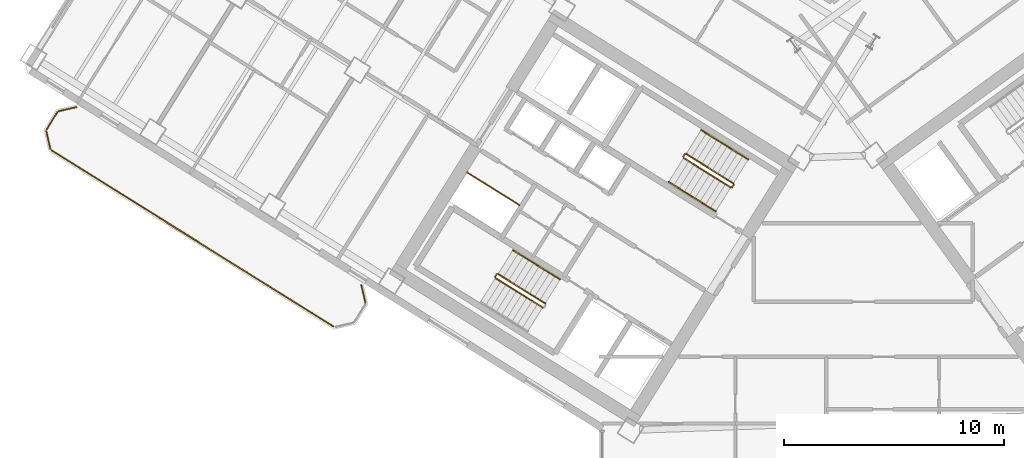
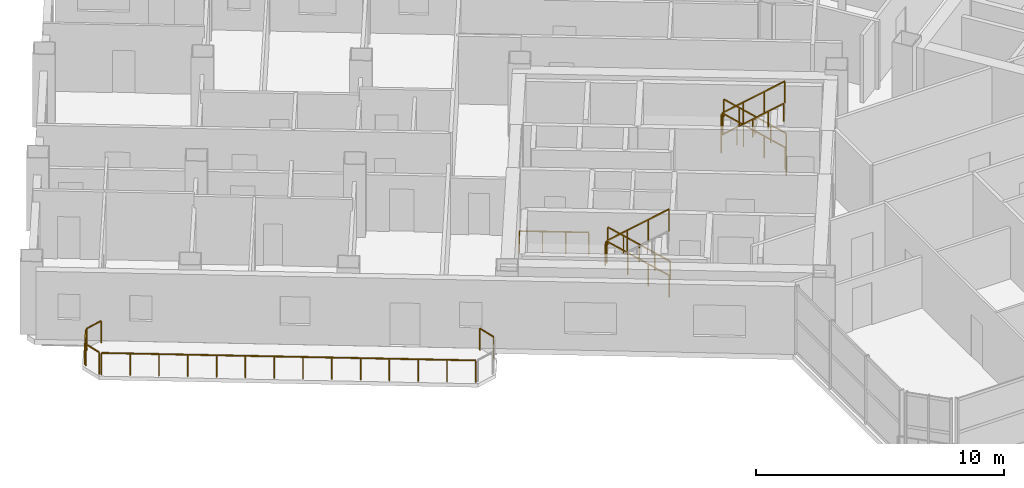
# One storey, part 18 of 20: 19 railings.
"""IFC4 building model written with IfcOpenShell, lengths in metres."""

from ifc_helpers import new_model, si_unit, direction, frame, origin, origin_2d, place, context, subcontext, project, spatial, rectangle, extrude, source, transform, mapped, material, type_object, element, save


model = new_model("IFC4")

# Units and contexts
model_context = context("Model", 3, precision=1e-05, world=origin(), true_north=direction((0.0, 1.0)))
body_context = subcontext(model_context, "Body", "Model", "MODEL_VIEW")
ifc_project = project(units=[si_unit("LENGTHUNIT", "METRE"), si_unit("AREAUNIT", "SQUARE_METRE"), si_unit("VOLUMEUNIT", "CUBIC_METRE"), si_unit("PLANEANGLEUNIT", "RADIAN"), si_unit("MASSUNIT", "GRAM", prefix="KILO")], contexts=[model_context])

# Site, building, storey
site_placement = place(None, origin())
site = spatial("IfcSite", under=ifc_project, at=site_placement, CompositionType="ELEMENT")
building_placement = place(site_placement, origin())
building = spatial("IfcBuilding", under=site, at=building_placement, Name="Tlacorven Tower", CompositionType="ELEMENT")
storey_placement = place(building_placement, frame((0.0, 0.0, 108.89990234375)))
storey = spatial("IfcBuildingStorey", under=building, at=storey_placement, Name="L27", CompositionType="ELEMENT", Elevation=108.89990234375)

# Railings
ifc_material = material(Name="Aluminium and painted steel balustrade", Category="steel")
railing_type_1 = type_object("IfcRailingType", Name="RL-GRD-1100", PredefinedType="GUARDRAIL", material=ifc_material)
shared_shape_1 = source(origin(), body_context, "Body", "SweptSolid", [
    extrude(rectangle(XDim=0.048095703125, YDim=0.048095703125, at=origin_2d()), frame((0.0, 0.0, 1.076171875), z_axis=(-0.848091358275, 0.529850024081, 0.0), x_axis=(-0.529850024081, -0.848091358275, 0.0)), (0.0, 0.0, 1.0), 2.800048828125),
    extrude(rectangle(XDim=0.0419921875, YDim=0.0419921875, at=origin_2d()), origin(), (0.0, 0.0, 1.0), 1.052001953125),
    extrude(rectangle(XDim=0.0419921875, YDim=0.0419921875, at=origin_2d()), frame((-0.79150390625, 0.49462890625, 0.0)), (0.0, 0.0, 1.0), 1.052001953125),
    extrude(rectangle(XDim=0.0419921875, YDim=0.0419921875, at=origin_2d()), frame((-1.583251953125, 0.989013671875, 0.0)), (0.0, 0.0, 1.0), 1.052001953125),
    extrude(rectangle(XDim=0.0419921875, YDim=0.0419921875, at=origin_2d()), frame((-2.374755859375, 1.483642578125, 0.0)), (0.0, 0.0, 1.0), 1.052001953125),
])
railing_1_placement = place(storey_placement, frame((27.9912109375, 22.32080078125, 0.0)))
element("IfcRailing", 1, at=railing_1_placement, inside=storey, type_object=railing_type_1, Name="L27 Electrical Riser W Shaft Guard 1", PredefinedType="GUARDRAIL", context=body_context, shape_type="MappedRepresentation", body=[
    mapped(shared_shape_1, transform((0.0, 0.0, 0.0), scale=1.0)),
])
railing_type_2 = type_object("IfcRailingType", Name="RL-BAL-1100", PredefinedType="BALUSTRADE", material=ifc_material)
shared_shape_2 = source(origin(), body_context, "Body", "SweptSolid", [
    extrude(rectangle(XDim=0.048095703125, YDim=0.048095703125, at=origin_2d()), frame((0.0, 0.0, 1.076171875), z_axis=(0.225058334816, -0.974345290916, 0.0), x_axis=(0.974345290916, 0.225058334816, 0.0)), (0.0, 0.0, 1.0), 0.80712890625),
    extrude(rectangle(XDim=0.0419921875, YDim=0.0419921875, at=origin_2d()), origin(), (0.0, 0.0, 1.0), 1.052001953125),
    extrude(rectangle(XDim=0.0419921875, YDim=0.0419921875, at=origin_2d()), frame((0.181640625, -0.786376953125, 0.0)), (0.0, 0.0, 1.0), 1.052001953125),
])
railing_2_placement = place(storey_placement, frame((20.809814453125, 18.671142578125, 0.0)))
element("IfcRailing", 2, at=railing_2_placement, inside=storey, type_object=railing_type_2, Name="BAL-L27-W-OUT Guard Railing 1", PredefinedType="BALUSTRADE", context=body_context, shape_type="MappedRepresentation", body=[
    mapped(shared_shape_2, transform((0.0, 0.0, 0.0), scale=1.0)),
])
shared_shape_3 = source(origin(), body_context, "Body", "SweptSolid", [
    extrude(rectangle(XDim=0.048095703125, YDim=0.048095703125, at=origin_2d()), frame((0.0, 0.0, 1.076171875), z_axis=(-0.225058334816, 0.974345290916, 0.0), x_axis=(-0.974345290916, -0.225058334816, 0.0)), (0.0, 0.0, 1.0), 0.80712890625),
    extrude(rectangle(XDim=0.0419921875, YDim=0.0419921875, at=origin_2d()), origin(), (0.0, 0.0, 1.0), 1.052001953125),
    extrude(rectangle(XDim=0.0419921875, YDim=0.0419921875, at=origin_2d()), frame((-0.181640625, 0.786376953125, 0.0)), (0.0, 0.0, 1.0), 1.052001953125),
])
railing_3_placement = place(storey_placement, frame((6.66650390625, 24.88623046875, 0.0)))
element("IfcRailing", 3, at=railing_3_placement, inside=storey, type_object=railing_type_2, Name="BAL-L27-W-OUT Guard Railing 5", PredefinedType="BALUSTRADE", context=body_context, shape_type="MappedRepresentation", body=[
    mapped(shared_shape_3, transform((0.0, 0.0, 0.0), scale=1.0)),
])
shared_shape_4 = source(origin(), body_context, "Body", "SweptSolid", [
    extrude(rectangle(XDim=0.048095703125, YDim=0.048095703125, at=origin_2d()), frame((0.0, 0.0, 1.076171875), z_axis=(0.974411586182, 0.224771129628, 0.0), x_axis=(-0.224771129628, 0.974411586182, 0.0)), (0.0, 0.0, 1.0), 0.80712890625),
    extrude(rectangle(XDim=0.0419921875, YDim=0.0419921875, at=origin_2d()), origin(), (0.0, 0.0, 1.0), 1.052001953125),
    extrude(rectangle(XDim=0.0419921875, YDim=0.0419921875, at=origin_2d()), frame((0.786376953125, 0.181396484375, 0.0)), (0.0, 0.0, 1.0), 1.052001953125),
])
railing_4_placement = place(storey_placement, frame((7.05859375, 26.591064453125, 0.0)))
element("IfcRailing", 4, at=railing_4_placement, inside=storey, type_object=railing_type_2, Name="BAL-L27-W-OUT Guard Railing 7", PredefinedType="BALUSTRADE", context=body_context, shape_type="MappedRepresentation", body=[
    mapped(shared_shape_4, transform((0.0, 0.0, 0.0), scale=1.0)),
])
shared_shape_5 = source(origin(), body_context, "Body", "SweptSolid", [
    extrude(rectangle(XDim=0.048095703125, YDim=0.048095703125, at=origin_2d()), frame((0.0, 0.0, 1.076171875), z_axis=(0.529998940003, 0.847998304005, 0.0), x_axis=(-0.847998304005, 0.529998940003, 0.0)), (0.0, 0.0, 1.0), 0.912109375),
    extrude(rectangle(XDim=0.0419921875, YDim=0.0419921875, at=origin_2d()), origin(), (0.0, 0.0, 1.0), 1.052001953125),
    extrude(rectangle(XDim=0.0419921875, YDim=0.0419921875, at=origin_2d()), frame((0.4833984375, 0.7734375, 0.0)), (0.0, 0.0, 1.0), 1.052001953125),
])
railing_5_placement = place(storey_placement, frame((6.5, 25.763916015625, 0.0)))
element("IfcRailing", 5, at=railing_5_placement, inside=storey, type_object=railing_type_2, Name="BAL-L27-W-OUT Guard Railing 6", PredefinedType="BALUSTRADE", context=body_context, shape_type="MappedRepresentation", body=[
    mapped(shared_shape_5, transform((0.0, 0.0, 0.0), scale=1.0)),
])
shared_shape_6 = source(origin(), body_context, "Body", "SweptSolid", [
    extrude(rectangle(XDim=0.048095703125, YDim=0.048095703125, at=origin_2d()), frame((0.0, 0.0, 1.076171875), z_axis=(-0.848051830527, 0.529913287944, 0.0), x_axis=(-0.529913287944, -0.848051830527, 0.0)), (0.0, 0.0, 1.0), 15.1171875),
    extrude(rectangle(XDim=0.0419921875, YDim=0.0419921875, at=origin_2d()), origin(), (0.0, 0.0, 1.0), 1.052001953125),
    extrude(rectangle(XDim=0.0419921875, YDim=0.0419921875, at=origin_2d()), frame((-0.986083984375, 0.6162109375, 0.0)), (0.0, 0.0, 1.0), 1.052001953125),
    extrude(rectangle(XDim=0.0419921875, YDim=0.0419921875, at=origin_2d()), frame((-1.972412109375, 1.232421875, 0.0)), (0.0, 0.0, 1.0), 1.052001953125),
    extrude(rectangle(XDim=0.0419921875, YDim=0.0419921875, at=origin_2d()), frame((-2.95849609375, 1.8486328125, 0.0)), (0.0, 0.0, 1.0), 1.052001953125),
    extrude(rectangle(XDim=0.0419921875, YDim=0.0419921875, at=origin_2d()), frame((-3.944580078125, 2.46484375, 0.0)), (0.0, 0.0, 1.0), 1.052001953125),
    extrude(rectangle(XDim=0.0419921875, YDim=0.0419921875, at=origin_2d()), frame((-4.930908203125, 3.0810546875, 0.0)), (0.0, 0.0, 1.0), 1.052001953125),
    extrude(rectangle(XDim=0.0419921875, YDim=0.0419921875, at=origin_2d()), frame((-5.9169921875, 3.697265625, 0.0)), (0.0, 0.0, 1.0), 1.052001953125),
    extrude(rectangle(XDim=0.0419921875, YDim=0.0419921875, at=origin_2d()), frame((-6.903076171875, 4.3134765625, 0.0)), (0.0, 0.0, 1.0), 1.052001953125),
    extrude(rectangle(XDim=0.0419921875, YDim=0.0419921875, at=origin_2d()), frame((-7.88916015625, 4.9296875, 0.0)), (0.0, 0.0, 1.0), 1.052001953125),
    extrude(rectangle(XDim=0.0419921875, YDim=0.0419921875, at=origin_2d()), frame((-8.87548828125, 5.5458984375, 0.0)), (0.0, 0.0, 1.0), 1.052001953125),
    extrude(rectangle(XDim=0.0419921875, YDim=0.0419921875, at=origin_2d()), frame((-9.861572265625, 6.162109375, 0.0)), (0.0, 0.0, 1.0), 1.052001953125),
    extrude(rectangle(XDim=0.0419921875, YDim=0.0419921875, at=origin_2d()), frame((-10.84765625, 6.7783203125, 0.0)), (0.0, 0.0, 1.0), 1.052001953125),
    extrude(rectangle(XDim=0.0419921875, YDim=0.0419921875, at=origin_2d()), frame((-11.833984375, 7.39453125, 0.0)), (0.0, 0.0, 1.0), 1.052001953125),
    extrude(rectangle(XDim=0.0419921875, YDim=0.0419921875, at=origin_2d()), frame((-12.820068359375, 8.0107421875, 0.0)), (0.0, 0.0, 1.0), 1.052001953125),
])
railing_6_placement = place(storey_placement, frame((19.5400390625, 16.80029296875, 0.0)))
element("IfcRailing", 6, at=railing_6_placement, inside=storey, type_object=railing_type_2, Name="BAL-L27-W-OUT Guard Railing 4", PredefinedType="BALUSTRADE", context=body_context, shape_type="MappedRepresentation", body=[
    mapped(shared_shape_6, transform((0.0, 0.0, 0.0), scale=1.0)),
])
shared_shape_7 = source(origin(), body_context, "Body", "SweptSolid", [
    extrude(rectangle(XDim=0.048095703125, YDim=0.048095703125, at=origin_2d()), frame((0.0, 0.0, 1.076171875), z_axis=(-0.530546985787, -0.847655529016, 0.0), x_axis=(0.847655529016, -0.530546985787, 0.0)), (0.0, 0.0, 1.0), 0.1201171875),
    extrude(rectangle(XDim=0.0419921875, YDim=0.0419921875, at=origin_2d()), origin(), (0.0, 0.0, 1.0), 1.052001953125),
    extrude(rectangle(XDim=0.0419921875, YDim=0.0419921875, at=origin_2d()), frame((-0.063720703125, -0.101806640625, 0.0)), (0.0, 0.0, 1.0), 1.052001953125),
])
for number, where, name in (
    (7, (26.954833984375, 19.17138671875, 1.800048828125), "L27 ST-W1 stair guard 2"),
    (8, (37.728271484375, 23.24072265625, 0.0), "L27 ST-W2 stair guard 4"),
):
    element("IfcRailing", number, at=place(storey_placement, frame(where)), inside=storey, type_object=railing_type_1, Name=name, PredefinedType="GUARDRAIL", context=body_context, shape_type="MappedRepresentation", body=[
        mapped(shared_shape_7, transform((0.0, 0.0, 0.0), scale=1.0)),
    ])
shared_shape_8 = source(origin(), body_context, "Body", "SweptSolid", [
    extrude(rectangle(XDim=0.048095703125, YDim=0.048095703125, at=origin_2d()), frame((0.0, 0.0, 1.076171875), z_axis=(0.713359751793, -0.4457479829, 0.540764828981), x_axis=(0.529911857636, 0.848052724267, 0.0)), (0.0, 0.0, 1.0), 2.99609375),
    extrude(rectangle(XDim=0.0419921875, YDim=0.0419921875, at=origin_2d()), origin(), (0.0, 0.0, 1.0), 1.052001953125),
    extrude(rectangle(XDim=0.0419921875, YDim=0.0419921875, at=origin_2d()), frame((0.71240234375, -0.445068359375, 0.5400390625)), (0.0, 0.0, 1.0), 1.052001953125),
    extrude(rectangle(XDim=0.0419921875, YDim=0.0419921875, at=origin_2d()), frame((1.4248046875, -0.890380859375, 1.080078125)), (0.0, 0.0, 1.0), 1.052001953125),
    extrude(rectangle(XDim=0.0419921875, YDim=0.0419921875, at=origin_2d()), frame((2.13720703125, -1.33544921875, 1.6201171875)), (0.0, 0.0, 1.0), 1.052001953125),
])
railing_7_placement = place(storey_placement, frame((26.906982421875, 19.000732421875, 1.97998046875)))
element("IfcRailing", 9, at=railing_7_placement, inside=storey, type_object=railing_type_1, Name="L27 ST-W1 stair guard 3", PredefinedType="GUARDRAIL", context=body_context, shape_type="MappedRepresentation", body=[
    mapped(shared_shape_8, transform((0.0, 0.0, 0.0), scale=1.0)),
])
railing_type_3 = type_object("IfcRailingType", Name="RL-HND-0900", PredefinedType="HANDRAIL", material=ifc_material)
shared_shape_9 = source(origin(), body_context, "Body", "SweptSolid", [
    extrude(rectangle(XDim=0.048095703125, YDim=0.048095703125, at=origin_2d()), frame((0.0, 0.0, 0.8759765625), z_axis=(-0.713359751793, 0.4457479829, 0.540764828981), x_axis=(-0.529911857636, -0.848052724267, 0.0)), (0.0, 0.0, 1.0), 1.498046875),
    extrude(rectangle(XDim=0.0419921875, YDim=0.0419921875, at=origin_2d()), origin(), (0.0, 0.0, 1.0), 0.851806640625),
    extrude(rectangle(XDim=0.0419921875, YDim=0.0419921875, at=origin_2d()), frame((-0.5341796875, 0.333984375, 0.405029296875)), (0.0, 0.0, 1.0), 0.851806640625),
    extrude(rectangle(XDim=0.0419921875, YDim=0.0419921875, at=origin_2d()), frame((-1.068603515625, 0.667724609375, 0.81005859375)), (0.0, 0.0, 1.0), 0.851806640625),
])
for number, where, name in (
    (10, (28.7705078125, 19.60498046875, 0.989990234375), "L27 ST-W1 stair handrail 2"),
    (11, (37.322021484375, 25.062744140625, 0.989990234375), "L27 ST-W2 stair handrail 2"),
):
    element("IfcRailing", number, at=place(storey_placement, frame(where)), inside=storey, type_object=railing_type_3, Name=name, PredefinedType="HANDRAIL", context=body_context, shape_type="MappedRepresentation", body=[
        mapped(shared_shape_9, transform((0.0, 0.0, 0.0), scale=1.0)),
    ])
shared_shape_10 = source(origin(), body_context, "Body", "SweptSolid", [
    extrude(rectangle(XDim=0.048095703125, YDim=0.048095703125, at=origin_2d()), frame((0.0, 0.0, 0.8759765625), z_axis=(0.713359751793, -0.4457479829, 0.540764828981), x_axis=(0.529911857636, 0.848052724267, 0.0)), (0.0, 0.0, 1.0), 1.498046875),
    extrude(rectangle(XDim=0.0419921875, YDim=0.0419921875, at=origin_2d()), origin(), (0.0, 0.0, 1.0), 0.851806640625),
    extrude(rectangle(XDim=0.0419921875, YDim=0.0419921875, at=origin_2d()), frame((0.5341796875, -0.333984375, 0.405029296875)), (0.0, 0.0, 1.0), 0.851806640625),
    extrude(rectangle(XDim=0.0419921875, YDim=0.0419921875, at=origin_2d()), frame((1.068603515625, -0.667724609375, 0.81005859375)), (0.0, 0.0, 1.0), 0.851806640625),
])
for number, where, name in (
    (12, (34.7802734375, 23.372802734375, 1.97998046875), "L27 ST-W2 stair handrail 3"),
    (13, (35.848876953125, 22.705078125, 2.7900390625), "L27 ST-W2 stair handrail 4"),
):
    element("IfcRailing", number, at=place(storey_placement, frame(where)), inside=storey, type_object=railing_type_3, Name=name, PredefinedType="HANDRAIL", context=body_context, shape_type="MappedRepresentation", body=[
        mapped(shared_shape_10, transform((0.0, 0.0, 0.0), scale=1.0)),
    ])
shared_shape_11 = source(origin(), body_context, "Body", "SweptSolid", [
    extrude(rectangle(XDim=0.048095703125, YDim=0.048095703125, at=origin_2d()), frame((0.0, 0.0, 1.076171875), z_axis=(-0.713351164325, 0.445793541512, 0.540738601085), x_axis=(-0.529955395941, -0.84802551749, 0.0)), (0.0, 0.0, 1.0), 2.99560546875),
    extrude(rectangle(XDim=0.0419921875, YDim=0.0419921875, at=origin_2d()), origin(), (0.0, 0.0, 1.0), 1.052001953125),
    extrude(rectangle(XDim=0.0419921875, YDim=0.0419921875, at=origin_2d()), frame((-0.71240234375, 0.445068359375, 0.5400390625)), (0.0, 0.0, 1.0), 1.052001953125),
    extrude(rectangle(XDim=0.0419921875, YDim=0.0419921875, at=origin_2d()), frame((-1.424560546875, 0.890380859375, 1.079833984375)), (0.0, 0.0, 1.0), 1.052001953125),
    extrude(rectangle(XDim=0.0419921875, YDim=0.0419921875, at=origin_2d()), frame((-2.136962890625, 1.33544921875, 1.619873046875)), (0.0, 0.0, 1.0), 1.052001953125),
])
for number, where, name in (
    (14, (29.16064453125, 17.851806640625, 0.18017578125), "L27 ST-W1 stair guard 1"),
    (15, (37.712158203125, 23.3095703125, 0.18017578125), "L27 ST-W2 stair guard 1"),
):
    element("IfcRailing", number, at=place(storey_placement, frame(where)), inside=storey, type_object=railing_type_1, Name=name, PredefinedType="GUARDRAIL", context=body_context, shape_type="MappedRepresentation", body=[
        mapped(shared_shape_11, transform((0.0, 0.0, 0.0), scale=1.0)),
    ])
shared_shape_12 = source(origin(), body_context, "Body", "SweptSolid", [
    extrude(rectangle(XDim=0.048095703125, YDim=0.048095703125, at=origin_2d()), frame((0.0, 0.0, 0.8759765625), z_axis=(-0.713422621445, 0.445787267455, 0.540649494022), x_axis=(-0.529911857636, -0.848052724267, 0.0)), (0.0, 0.0, 1.0), 1.497802734375),
    extrude(rectangle(XDim=0.0419921875, YDim=0.0419921875, at=origin_2d()), origin(), (0.0, 0.0, 1.0), 0.851806640625),
    extrude(rectangle(XDim=0.0419921875, YDim=0.0419921875, at=origin_2d()), frame((-0.5341796875, 0.333984375, 0.40478515625)), (0.0, 0.0, 1.0), 0.851806640625),
    extrude(rectangle(XDim=0.0419921875, YDim=0.0419921875, at=origin_2d()), frame((-1.068603515625, 0.667724609375, 0.809814453125)), (0.0, 0.0, 1.0), 0.851806640625),
])
for number, where, name in (
    (16, (29.839111328125, 18.937255859375, 0.18017578125), "L27 ST-W1 stair handrail 1"),
    (17, (38.390625, 24.39501953125, 0.18017578125), "L27 ST-W2 stair handrail 1"),
):
    element("IfcRailing", number, at=place(storey_placement, frame(where)), inside=storey, type_object=railing_type_3, Name=name, PredefinedType="HANDRAIL", context=body_context, shape_type="MappedRepresentation", body=[
        mapped(shared_shape_12, transform((0.0, 0.0, 0.0), scale=1.0)),
    ])
shared_shape_13 = source(origin(), body_context, "Body", "SweptSolid", [
    extrude(rectangle(XDim=0.048095703125, YDim=0.048095703125, at=origin_2d()), frame((0.0, 0.0, 1.076171875), z_axis=(-0.531462422766, -0.847081869236, 0.0), x_axis=(0.847081869236, -0.531462422766, 0.0)), (0.0, 0.0, 1.0), 0.119873046875),
    extrude(rectangle(XDim=0.0419921875, YDim=0.0419921875, at=origin_2d()), origin(), (0.0, 0.0, 1.0), 1.052001953125),
    extrude(rectangle(XDim=0.0419921875, YDim=0.0419921875, at=origin_2d()), frame((-0.063720703125, -0.1015625, 0.0)), (0.0, 0.0, 1.0), 1.052001953125),
])
railing_8_placement = place(storey_placement, frame((35.50634765625, 24.62890625, 1.800048828125)))
element("IfcRailing", 18, at=railing_8_placement, inside=storey, type_object=railing_type_1, Name="L27 ST-W2 stair guard 2", PredefinedType="GUARDRAIL", context=body_context, shape_type="MappedRepresentation", body=[
    mapped(shared_shape_13, transform((0.0, 0.0, 0.0), scale=1.0)),
])
shared_shape_14 = source(origin(), body_context, "Body", "SweptSolid", [
    extrude(rectangle(XDim=0.048095703125, YDim=0.048095703125, at=origin_2d()), frame((0.0, 0.0, 1.076171875), z_axis=(0.713385662783, -0.445682681033, 0.540784470897), x_axis=(0.52984217967, 0.848096259066, 0.0)), (0.0, 0.0, 1.0), 2.995849609375),
    extrude(rectangle(XDim=0.0419921875, YDim=0.0419921875, at=origin_2d()), origin(), (0.0, 0.0, 1.0), 1.052001953125),
    extrude(rectangle(XDim=0.0419921875, YDim=0.0419921875, at=origin_2d()), frame((0.71240234375, -0.445068359375, 0.5400390625)), (0.0, 0.0, 1.0), 1.052001953125),
    extrude(rectangle(XDim=0.0419921875, YDim=0.0419921875, at=origin_2d()), frame((1.4248046875, -0.89013671875, 1.080078125)), (0.0, 0.0, 1.0), 1.052001953125),
    extrude(rectangle(XDim=0.0419921875, YDim=0.0419921875, at=origin_2d()), frame((2.13720703125, -1.335205078125, 1.6201171875)), (0.0, 0.0, 1.0), 1.052001953125),
])
railing_9_placement = place(storey_placement, frame((35.45849609375, 24.458251953125, 1.97998046875)))
element("IfcRailing", 19, at=railing_9_placement, inside=storey, type_object=railing_type_1, Name="L27 ST-W2 stair guard 3", PredefinedType="GUARDRAIL", context=body_context, shape_type="MappedRepresentation", body=[
    mapped(shared_shape_14, transform((0.0, 0.0, 0.0), scale=1.0)),
])

save(model, "model.ifc")
